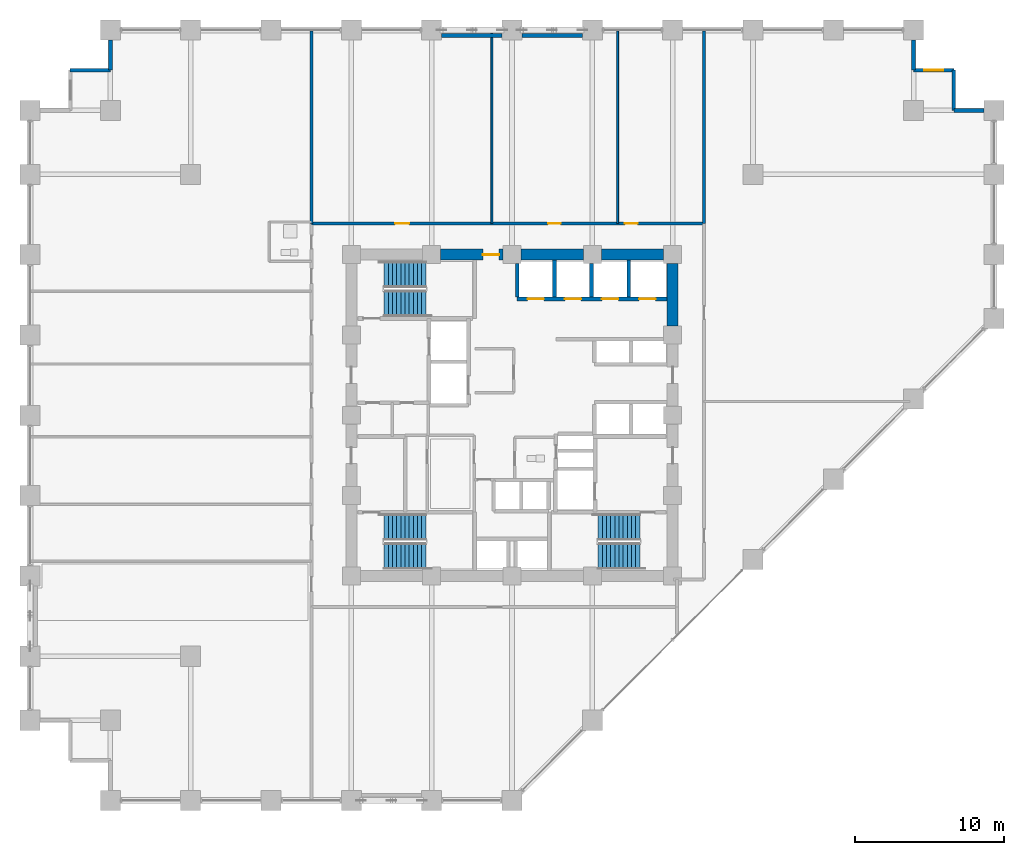
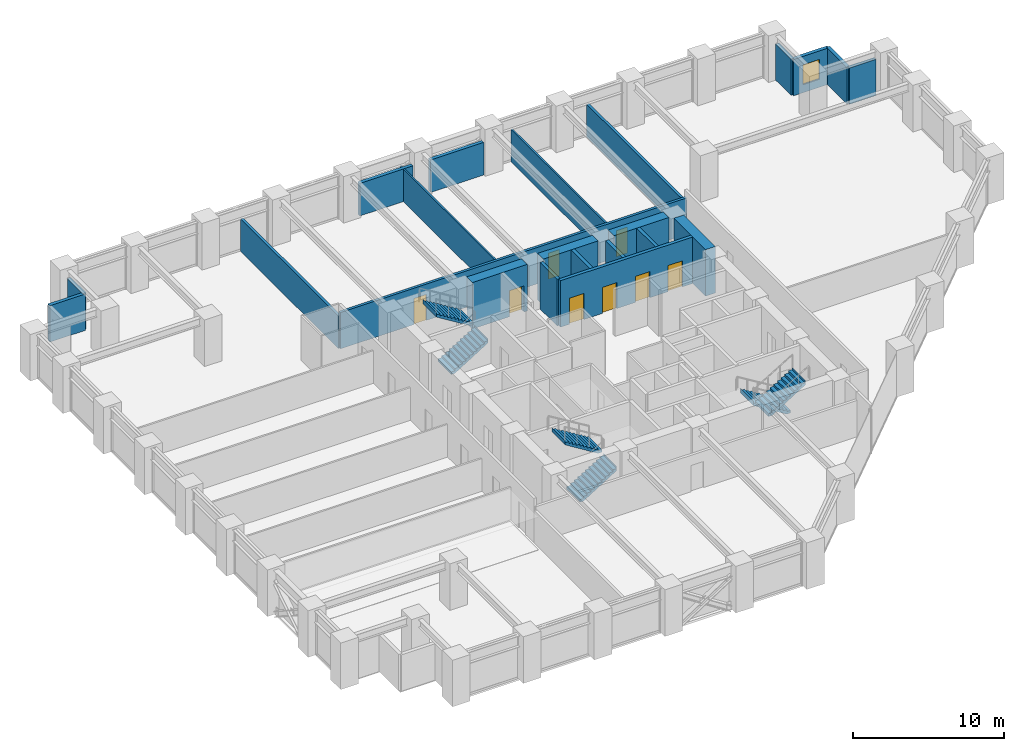
# One storey, part 22 of 25: 22 walls, 8 doors, 6 stair flights, 1 window, 9 openings, 3 elements without a shape of their own.
"""IFC4 building model written with IfcOpenShell, lengths in metres."""

from ifc_helpers import new_model, si_unit, direction, frame, frame_2d, origin, place, context, subcontext, project, spatial, polyline, rectangle, outline, extrude, material, layer, layer_set, type_object, element, fill, aggregate, save


model = new_model("IFC4")

# Units and contexts
model_context = context("Model", 3, precision=1e-05, world=origin(), true_north=direction((0.0, 1.0)))
body_context = subcontext(model_context, "Body", "Model", "MODEL_VIEW")
ifc_project = project(units=[si_unit("LENGTHUNIT", "METRE"), si_unit("AREAUNIT", "SQUARE_METRE"), si_unit("VOLUMEUNIT", "CUBIC_METRE"), si_unit("PLANEANGLEUNIT", "RADIAN"), si_unit("MASSUNIT", "GRAM", prefix="KILO")], contexts=[model_context])

# Site, building, storey
site_placement = place(None, origin())
site = spatial("IfcSite", under=ifc_project, at=site_placement, CompositionType="ELEMENT")
building_placement = place(site_placement, origin())
building = spatial("IfcBuilding", under=site, at=building_placement, Name="Surkhivell Harbour Commons", CompositionType="ELEMENT")
storey_placement = place(building_placement, frame((0.0, 0.0, 33.75)))
storey = spatial("IfcBuildingStorey", under=building, at=storey_placement, Name="L08", CompositionType="ELEMENT", Elevation=33.75)

# Wall, opening, door
ifc_material_1 = material(Name="Concrete C60/75", Category="concrete")
ifc_layer_1 = layer(ifc_material_1, 0.75)
ifc_layer_set_1 = layer_set([ifc_layer_1], Name="Concrete C60/75")
wall_type_1 = type_object("IfcWallType", Name="WAL-CORE-750", PredefinedType="SHEAR", material=ifc_layer_set_1)
wall_1_placement = place(storey_placement, frame((-4.7900390625, 10.800048828125, 0.0), z_axis=(0.0, 0.0, 1.0), x_axis=(1.0, 0.0, 0.0)))
wall_1 = element("IfcWall", 1, at=wall_1_placement, inside=storey, type_object=wall_type_1, Name="L08 Core Shear Wall North 2", PredefinedType="SHEAR", context=body_context, shape_type="SweptSolid", body=[
    extrude(rectangle(XDim=4.179931640625, YDim=0.75, at=frame_2d((2.08984375, 0.0))), origin(), (0.0, 0.0, 1.0), 3.75),
])
opening_1_placement = place(wall_1_placement, frame((2.830078125, 0.0, 0.0)))
opening_1 = element("IfcOpeningElement", 2, at=opening_1_placement, cuts=wall_1, Name="Opening ID-2", PredefinedType="OPENING", context=body_context, shape_type="SweptSolid", body=[
    extrude(rectangle(XDim=1.10009765625, YDim=2.10009765625, at=frame_2d((0.550048828125, 1.050048828125))), frame((0.0, 0.385009765625, 0.0), z_axis=(0.0, -1.0, 0.0), x_axis=(1.0, 0.0, 0.0)), (0.0, 0.0, 1.0), 0.77001953125),
])
ifc_material_2 = material(Name="Hardwood-veneered fire-rated door leaf", Category="wood")
door_type_1 = type_object("IfcDoorType", Name="DOR-FD60-1100", OperationType="NOTDEFINED", PredefinedType="DOOR", material=ifc_material_2)
door_1_placement = place(opening_1_placement, origin())
door_1 = element("IfcDoor", 3, at=door_1_placement, inside=storey, type_object=door_type_1, Name="L08 Central Core Lift Hall North Corridor Door", OperationType="SINGLE_SWING_LEFT", OverallHeight=2.10009765625, OverallWidth=1.10009765625, PredefinedType="DOOR", context=body_context, shape_type="SweptSolid", body=[
    extrude(rectangle(XDim=1.10009765625, YDim=2.10009765625, at=frame_2d((0.550048828125, 1.050048828125))), frame((0.0, 0.02490234375, 0.0), z_axis=(0.0, -1.0, 0.0), x_axis=(1.0, 0.0, 0.0)), (0.0, 0.0, 1.0), 0.050048828125),
])
fill(opening_1, door_1)

# Walls
for number, where, z_axis, x_axis, name in (
    (4, (0.610107421875, 10.800048828125, 0.0), (0.0, 0.0, 1.0), (1.0, 0.0, 0.0), "L08 Core Shear Wall North 3"),
    (5, (6.010009765625, 10.800048828125, 0.0), (0.0, 0.0, 1.0), (1.0, 0.0, 0.0), "L08 Core Shear Wall North 4"),
    (6, (10.800048828125, 6.010009765625, 0.0), (0.0, 0.0, 1.0), (0.0, 1.0, 0.0), "L08 Core Shear Wall East 4"),
):
    element("IfcWall", number, at=place(storey_placement, frame(where, z_axis=z_axis, x_axis=x_axis)), inside=storey, type_object=wall_type_1, Name=name, PredefinedType="SHEAR", context=body_context, shape_type="SweptSolid", body=[
        extrude(rectangle(XDim=4.179931640625, YDim=0.75, at=frame_2d((2.08984375, 0.0))), origin(), (0.0, 0.0, 1.0), 3.75),
    ])
ifc_material_3 = material(Name="Pale-metal insulated precast concrete C45/55", Category="concrete")
ifc_layer_2 = layer(ifc_material_3, 0.260009765625)
ifc_layer_set_2 = layer_set([ifc_layer_2], Name="Pale-metal insulated precast concrete C45/55")
wall_type_2 = type_object("IfcWallType", Name="WAL-EXT-MTL260", PredefinedType="STANDARD", material=ifc_layer_set_2)
wall_2_placement = place(storey_placement, frame((31.72705078125, 20.5, 0.0), z_axis=(0.0, 0.0, 1.0), x_axis=(-1.0, 0.0, 0.0)))
element("IfcWall", 7, at=wall_2_placement, inside=storey, type_object=wall_type_2, Name="L08 Serrated Corner Facade Wall 03", PredefinedType="STANDARD", context=body_context, shape_type="SweptSolid", body=[
    extrude(rectangle(XDim=2.027099609375, YDim=0.260009765625, at=frame_2d((1.013671875, 0.0))), origin(), (0.0, 0.0, 1.0), 2.929931640625),
])
wall_3_placement = place(storey_placement, frame((29.699951171875, 20.5, 0.0), z_axis=(0.0, 0.0, 1.0), x_axis=(0.0, 1.0, 0.0)))
element("IfcWall", 8, at=wall_3_placement, inside=storey, type_object=wall_type_2, Name="L08 Serrated Corner Facade Wall 04", PredefinedType="STANDARD", context=body_context, shape_type="SweptSolid", body=[
    extrude(rectangle(XDim=2.699951171875, YDim=0.260009765625, at=frame_2d((1.35009765625, 0.0))), origin(), (0.0, 0.0, 1.0), 2.929931640625),
])

# Wall, opening, window
wall_4_placement = place(storey_placement, frame((29.699951171875, 23.199951171875, 0.0), z_axis=(0.0, 0.0, 1.0), x_axis=(-1.0, 0.0, 0.0)))
wall_4 = element("IfcWall", 9, at=wall_4_placement, inside=storey, type_object=wall_type_2, Name="L08 Serrated Corner Facade Wall 05", PredefinedType="STANDARD", context=body_context, shape_type="SweptSolid", body=[
    extrude(rectangle(XDim=2.699951171875, YDim=0.260009765625, at=frame_2d((1.35009765625, 0.0))), origin(), (0.0, 0.0, 1.0), 2.929931640625),
])
opening_2_placement = place(wall_4_placement, frame((0.72509765625, 0.0, 0.64990234375)))
opening_2 = element("IfcOpeningElement", 10, at=opening_2_placement, cuts=wall_4, Name="Opening WN-09", PredefinedType="OPENING", context=body_context, shape_type="SweptSolid", body=[
    extrude(rectangle(XDim=1.25, YDim=1.60009765625, at=frame_2d((0.625, 0.800048828125))), frame((0.0, 0.139892578125, 0.0), z_axis=(0.0, -1.0, 0.0), x_axis=(1.0, 0.0, 0.0)), (0.0, 0.0, 1.0), 0.280029296875),
])
ifc_material_4 = material(Name="Thermal-break aluminium frame and double low-E glazing", Category="aluminium")
window_type = type_object("IfcWindowType", Name="WIN-SER-1250x1600", PartitioningType="SINGLE_PANEL", PredefinedType="WINDOW", material=ifc_material_4)
window_placement = place(opening_2_placement, origin())
window = element("IfcWindow", 11, at=window_placement, inside=storey, type_object=window_type, Name="L08 Serrated Alcove Window 05", OverallHeight=1.60009765625, OverallWidth=1.25, PartitioningType="SINGLE_PANEL", PredefinedType="WINDOW", context=body_context, shape_type="SweptSolid", body=[
    extrude(rectangle(XDim=1.25, YDim=1.60009765625, at=frame_2d((0.625, 0.800048828125))), frame((0.0, 0.030029296875, 0.0), z_axis=(0.0, -1.0, 0.0), x_axis=(1.0, 0.0, 0.0)), (0.0, 0.0, 1.0), 0.06005859375),
])
fill(opening_2, window)

# Walls
wall_5_placement = place(storey_placement, frame((27.0, 23.199951171875, 0.0), z_axis=(0.0, 0.0, 1.0), x_axis=(0.0, 1.0, 0.0)))
element("IfcWall", 12, at=wall_5_placement, inside=storey, type_object=wall_type_2, Name="L08 Serrated Corner Facade Wall 06", PredefinedType="STANDARD", context=body_context, shape_type="SweptSolid", body=[
    extrude(rectangle(XDim=2.027099609375, YDim=0.260009765625, at=frame_2d((1.013671875, 0.0))), origin(), (0.0, 0.0, 1.0), 2.929931640625),
])
for number, where, z_axis, x_axis, name in (
    (13, (-0.673095703125, 25.5400390625, 0.0), (0.0, 0.0, 1.0), (-1.0, 0.0, 0.0), "L08 Braced-Bay Insulated Spandrel Backing N"),
    (14, (4.72705078125, 25.5400390625, 0.0), (0.0, 0.0, 1.0), (-1.0, 0.0, 0.0), "L08 Braced-Bay Insulated Spandrel Backing N2"),
):
    element("IfcWall", number, at=place(storey_placement, frame(where, z_axis=z_axis, x_axis=x_axis)), inside=storey, type_object=wall_type_2, Name=name, PredefinedType="STANDARD", context=body_context, shape_type="SweptSolid", body=[
        extrude(rectangle(XDim=4.053955078125, YDim=0.260009765625, at=frame_2d((2.02685546875, 0.0))), origin(), (0.0, 0.0, 1.0), 2.62890625),
    ])
wall_6_placement = place(storey_placement, frame((-27.0, 25.22705078125, 0.0), z_axis=(0.0, 0.0, 1.0), x_axis=(0.0, -1.0, 0.0)))
element("IfcWall", 15, at=wall_6_placement, inside=storey, type_object=wall_type_2, Name="L08 Serrated Corner Facade Wall 08", PredefinedType="STANDARD", context=body_context, shape_type="SweptSolid", body=[
    extrude(rectangle(XDim=2.027099609375, YDim=0.260009765625, at=frame_2d((1.013671875, 0.0))), origin(), (0.0, 0.0, 1.0), 2.929931640625),
])
wall_7_placement = place(storey_placement, frame((-27.0, 23.199951171875, 0.0), z_axis=(0.0, 0.0, 1.0), x_axis=(-1.0, 0.0, 0.0)))
element("IfcWall", 16, at=wall_7_placement, inside=storey, type_object=wall_type_2, Name="L08 Serrated Corner Facade Wall 09", PredefinedType="STANDARD", context=body_context, shape_type="SweptSolid", body=[
    extrude(rectangle(XDim=2.699951171875, YDim=0.260009765625, at=frame_2d((1.35009765625, 0.0))), origin(), (0.0, 0.0, 1.0), 2.929931640625),
])
ifc_material_5 = material(Name="Moisture-resistant acoustic stud partition", Category="other")
ifc_layer_3 = layer(ifc_material_5, 0.125)
ifc_layer_set_3 = layer_set([ifc_layer_3], Name="Moisture-resistant acoustic stud partition")
wall_type_3 = type_object("IfcWallType", Name="WAL-INT-125", PredefinedType="PARTITIONING", material=ifc_layer_set_3)
for number, where, z_axis, x_axis, name in (
    (17, (-1.35009765625, 12.89990234375, 0.0), (0.0, 0.0, 1.0), (0.0, 1.0, 0.0), "L08 North Partition P1"),
    (18, (7.10009765625, 12.89990234375, 0.0), (0.0, 0.0, 1.0), (0.0, 1.0, 0.0), "L08 North Partition P2"),
):
    element("IfcWall", number, at=place(storey_placement, frame(where, z_axis=z_axis, x_axis=x_axis)), inside=storey, type_object=wall_type_3, Name=name, PredefinedType="PARTITIONING", context=body_context, shape_type="SweptSolid", body=[
        extrude(rectangle(XDim=12.940185546875, YDim=0.125, at=frame_2d((6.47021484375, 0.0))), origin(), (0.0, 0.0, 1.0), 2.62890625),
    ])
ifc_material_6 = material(Name="Autoclaved aerated concrete blockwork and fire plaster", Category="masonry")
ifc_layer_4 = layer(ifc_material_6, 0.199951171875)
ifc_layer_set_4 = layer_set([ifc_layer_4], Name="Autoclaved aerated concrete blockwork and fire plaster")
wall_type_4 = type_object("IfcWallType", Name="WAL-INT-200", PredefinedType="PARTITIONING", material=ifc_layer_set_4)
for number, where, z_axis, x_axis, name in (
    (19, (12.89990234375, 12.89990234375, 0.0), (0.0, 0.0, 1.0), (0.0, 1.0, 0.0), "L08 North-East Wing Corner Divider"),
    (20, (-13.47998046875, 12.89990234375, 0.0), (0.0, 0.0, 1.0), (0.0, 1.0, 0.0), "L08 North-West Wing Corner Divider"),
):
    element("IfcWall", number, at=place(storey_placement, frame(where, z_axis=z_axis, x_axis=x_axis)), inside=storey, type_object=wall_type_4, Name=name, PredefinedType="PARTITIONING", context=body_context, shape_type="SweptSolid", body=[
        extrude(rectangle(XDim=12.940185546875, YDim=0.199951171875, at=frame_2d((6.47021484375, 0.0))), origin(), (0.0, 0.0, 1.0), 2.62890625),
    ])

# Wall, openings, doors
wall_8_placement = place(storey_placement, frame((-13.47998046875, 12.89990234375, 0.0), z_axis=(0.0, 0.0, 1.0), x_axis=(1.0, 0.0, 0.0)))
wall_8 = element("IfcWall", 21, at=wall_8_placement, inside=storey, type_object=wall_type_4, Name="L08 Corridor North Wall", PredefinedType="PARTITIONING", context=body_context, shape_type="SweptSolid", body=[
    extrude(rectangle(XDim=26.3798828125, YDim=0.199951171875, at=frame_2d((13.18994140625, 0.0))), origin(), (0.0, 0.0, 1.0), 2.929931640625),
])
opening_3_placement = place(wall_8_placement, frame((5.614990234375, 0.0, 0.0)))
opening_3 = element("IfcOpeningElement", 22, at=opening_3_placement, cuts=wall_8, Name="Opening ID-4", PredefinedType="OPENING", context=body_context, shape_type="SweptSolid", body=[
    extrude(rectangle(XDim=0.949951171875, YDim=2.10009765625, at=frame_2d((0.47509765625, 1.050048828125))), frame((0.0, 0.10986328125, 0.0), z_axis=(0.0, -1.0, 0.0), x_axis=(1.0, 0.0, 0.0)), (0.0, 0.0, 1.0), 0.219970703125),
])
opening_4_placement = place(wall_8_placement, frame((15.905029296875, 0.0, 0.0)))
opening_4 = element("IfcOpeningElement", 23, at=opening_4_placement, cuts=wall_8, Name="Opening ID-6", PredefinedType="OPENING", context=body_context, shape_type="SweptSolid", body=[
    extrude(rectangle(XDim=0.85009765625, YDim=2.10009765625, at=frame_2d((0.425048828125, 1.050048828125))), frame((0.0, 0.10986328125, 0.0), z_axis=(0.0, -1.0, 0.0), x_axis=(1.0, 0.0, 0.0)), (0.0, 0.0, 1.0), 0.219970703125),
])
opening_5_placement = place(wall_8_placement, frame((21.069091796875, 0.0, 0.0)))
opening_5 = element("IfcOpeningElement", 24, at=opening_5_placement, cuts=wall_8, Name="Opening ID-6", PredefinedType="OPENING", context=body_context, shape_type="SweptSolid", body=[
    extrude(rectangle(XDim=0.85009765625, YDim=2.10009765625, at=frame_2d((0.425048828125, 1.050048828125))), frame((0.0, 0.10986328125, 0.0), z_axis=(0.0, -1.0, 0.0), x_axis=(1.0, 0.0, 0.0)), (0.0, 0.0, 1.0), 0.219970703125),
])
door_type_2 = type_object("IfcDoorType", Name="DOR-FD30-850", OperationType="NOTDEFINED", PredefinedType="DOOR", material=ifc_material_2)
door_2_placement = place(opening_4_placement, origin())
door_2 = element("IfcDoor", 25, at=door_2_placement, inside=storey, type_object=door_type_2, Name="L08 Harbour Social Lounge North Door", OperationType="SINGLE_SWING_LEFT", OverallHeight=2.10009765625, OverallWidth=0.85009765625, PredefinedType="DOOR", context=body_context, shape_type="SweptSolid", body=[
    extrude(rectangle(XDim=0.85009765625, YDim=2.10009765625, at=frame_2d((0.425048828125, 1.050048828125))), frame((0.0, 0.02490234375, 0.0), z_axis=(0.0, -1.0, 0.0), x_axis=(1.0, 0.0, 0.0)), (0.0, 0.0, 1.0), 0.050048828125),
])
fill(opening_4, door_2)
door_3_placement = place(opening_5_placement, origin())
door_3 = element("IfcDoor", 26, at=door_3_placement, inside=storey, type_object=door_type_2, Name="L08 Resident Social Lounge 3 North Door", OperationType="SINGLE_SWING_RIGHT", OverallHeight=2.10009765625, OverallWidth=0.85009765625, PredefinedType="DOOR", context=body_context, shape_type="SweptSolid", body=[
    extrude(rectangle(XDim=0.85009765625, YDim=2.10009765625, at=frame_2d((0.425048828125, 1.050048828125))), frame((0.0, 0.02490234375, 0.0), z_axis=(0.0, -1.0, 0.0), x_axis=(1.0, 0.0, 0.0)), (0.0, 0.0, 1.0), 0.050048828125),
])
fill(opening_5, door_3)
door_type_3 = type_object("IfcDoorType", Name="DOR-FD60-950", OperationType="NOTDEFINED", PredefinedType="DOOR", material=ifc_material_2)
door_4_placement = place(opening_3_placement, origin())
door_4 = element("IfcDoor", 27, at=door_4_placement, inside=storey, type_object=door_type_3, Name="L08 Harbour Social Lounge North Door", OperationType="SINGLE_SWING_RIGHT", OverallHeight=2.10009765625, OverallWidth=0.949951171875, PredefinedType="DOOR", context=body_context, shape_type="SweptSolid", body=[
    extrude(rectangle(XDim=0.949951171875, YDim=2.10009765625, at=frame_2d((0.47509765625, 1.050048828125))), frame((0.0, 0.02490234375, 0.0), z_axis=(0.0, -1.0, 0.0), x_axis=(1.0, 0.0, 0.0)), (0.0, 0.0, 1.0), 0.050048828125),
])
fill(opening_3, door_4)

# Walls
ifc_material_7 = material(Name="Concrete C50/60", Category="concrete")
ifc_layer_5 = layer(ifc_material_7, 0.25)
ifc_layer_set_5 = layer_set([ifc_layer_5], Name="Concrete C50/60")
wall_type_5 = type_object("IfcWallType", Name="WAL-SHAFT-250", PredefinedType="SHEAR", material=ifc_layer_set_5)
wall_9_placement = place(storey_placement, frame((2.85009765625, 7.93994140625, 0.0), z_axis=(0.0, 0.0, 1.0), x_axis=(0.0, 1.0, 0.0)))
element("IfcWall", 28, at=wall_9_placement, inside=storey, type_object=wall_type_5, Name="L08 Low-Rise Hoistway Wall", PredefinedType="SHEAR", context=body_context, shape_type="SweptSolid", body=[
    extrude(rectangle(XDim=2.485107421875, YDim=0.25, at=frame_2d((1.24267578125, 0.0))), origin(), (0.0, 0.0, 1.0), 3.75),
])
for number, where, z_axis, x_axis, name in (
    (29, (0.35009765625, 7.93994140625, 0.0), (0.0, 0.0, 1.0), (0.0, 1.0, 0.0), "L08 Low-Rise Hoistway Wall"),
    (30, (5.35009765625, 7.93994140625, 0.0), (0.0, 0.0, 1.0), (0.0, 1.0, 0.0), "L08 Low-Rise Hoistway Wall"),
):
    element("IfcWall", number, at=place(storey_placement, frame(where, z_axis=z_axis, x_axis=x_axis)), inside=storey, type_object=wall_type_5, Name=name, PredefinedType="SHEAR", context=body_context, shape_type="SweptSolid", body=[
        extrude(rectangle(XDim=2.260009765625, YDim=0.25, at=frame_2d((1.1298828125, 0.0))), origin(), (0.0, 0.0, 1.0), 3.75),
    ])
wall_10_placement = place(storey_placement, frame((7.85009765625, 7.93994140625, 0.0), z_axis=(0.0, 0.0, 1.0), x_axis=(0.0, 1.0, 0.0)))
element("IfcWall", 31, at=wall_10_placement, inside=storey, type_object=wall_type_5, Name="L08 Low-Rise Hoistway Wall", PredefinedType="SHEAR", context=body_context, shape_type="SweptSolid", body=[
    extrude(rectangle(XDim=2.485107421875, YDim=0.25, at=frame_2d((1.24267578125, 0.0))), origin(), (0.0, 0.0, 1.0), 3.75),
])

# Wall, openings, doors
wall_11_placement = place(storey_placement, frame((0.35009765625, 7.820068359375, 0.0), z_axis=(0.0, 0.0, 1.0), x_axis=(1.0, 0.0, 0.0)))
wall_11 = element("IfcWall", 32, at=wall_11_placement, inside=storey, type_object=wall_type_5, Name="L08 Low-Rise Lift Front Shaft Wall", PredefinedType="SHEAR", context=body_context, shape_type="SweptSolid", body=[
    extrude(rectangle(XDim=10.074951171875, YDim=0.25, at=frame_2d((5.03759765625, 0.0))), origin(), (0.0, 0.0, 1.0), 3.75),
])
opening_6_placement = place(wall_11_placement, frame((0.699951171875, 0.0, 0.0)))
opening_6 = element("IfcOpeningElement", 33, at=opening_6_placement, cuts=wall_11, Name="Opening LD-1", PredefinedType="OPENING", context=body_context, shape_type="SweptSolid", body=[
    extrude(rectangle(XDim=1.10009765625, YDim=2.10009765625, at=frame_2d((0.550048828125, 1.050048828125))), frame((0.0, 0.135009765625, 0.0), z_axis=(0.0, -1.0, 0.0), x_axis=(1.0, 0.0, 0.0)), (0.0, 0.0, 1.0), 0.27001953125),
])
opening_7_placement = place(wall_11_placement, frame((3.199951171875, 0.0, 0.0)))
opening_7 = element("IfcOpeningElement", 34, at=opening_7_placement, cuts=wall_11, Name="Opening LD-1", PredefinedType="OPENING", context=body_context, shape_type="SweptSolid", body=[
    extrude(rectangle(XDim=1.10009765625, YDim=2.10009765625, at=frame_2d((0.550048828125, 1.050048828125))), frame((0.0, 0.135009765625, 0.0), z_axis=(0.0, -1.0, 0.0), x_axis=(1.0, 0.0, 0.0)), (0.0, 0.0, 1.0), 0.27001953125),
])
opening_8_placement = place(wall_11_placement, frame((5.699951171875, 0.0, 0.0)))
opening_8 = element("IfcOpeningElement", 35, at=opening_8_placement, cuts=wall_11, Name="Opening LD-1", PredefinedType="OPENING", context=body_context, shape_type="SweptSolid", body=[
    extrude(rectangle(XDim=1.10009765625, YDim=2.10009765625, at=frame_2d((0.550048828125, 1.050048828125))), frame((0.0, 0.135009765625, 0.0), z_axis=(0.0, -1.0, 0.0), x_axis=(1.0, 0.0, 0.0)), (0.0, 0.0, 1.0), 0.27001953125),
])
opening_9_placement = place(wall_11_placement, frame((8.199951171875, 0.0, 0.0)))
opening_9 = element("IfcOpeningElement", 36, at=opening_9_placement, cuts=wall_11, Name="Opening LD-1", PredefinedType="OPENING", context=body_context, shape_type="SweptSolid", body=[
    extrude(rectangle(XDim=1.10009765625, YDim=2.10009765625, at=frame_2d((0.550048828125, 1.050048828125))), frame((0.0, 0.135009765625, 0.0), z_axis=(0.0, -1.0, 0.0), x_axis=(1.0, 0.0, 0.0)), (0.0, 0.0, 1.0), 0.27001953125),
])
ifc_material_8 = material(Name="Brushed stainless steel S355", Category="steel")
door_type_4 = type_object("IfcDoorType", Name="DOR-LD-1100", OperationType="SLIDING_TO_LEFT", PredefinedType="DOOR", material=ifc_material_8)
door_5_placement = place(opening_6_placement, origin())
door_5 = element("IfcDoor", 37, at=door_5_placement, inside=storey, type_object=door_type_4, Name="L08 Lift Landing Door LD-PL1", OperationType="SLIDING_TO_LEFT", OverallHeight=2.10009765625, OverallWidth=1.10009765625, PredefinedType="DOOR", context=body_context, shape_type="SweptSolid", body=[
    extrude(rectangle(XDim=1.10009765625, YDim=2.10009765625, at=frame_2d((0.550048828125, 1.050048828125))), frame((0.0, 0.02490234375, 0.0), z_axis=(0.0, -1.0, 0.0), x_axis=(1.0, 0.0, 0.0)), (0.0, 0.0, 1.0), 0.050048828125),
])
fill(opening_6, door_5)
door_6_placement = place(opening_7_placement, origin())
door_6 = element("IfcDoor", 38, at=door_6_placement, inside=storey, type_object=door_type_4, Name="L08 Lift Landing Door LD-PL2", OperationType="SLIDING_TO_LEFT", OverallHeight=2.10009765625, OverallWidth=1.10009765625, PredefinedType="DOOR", context=body_context, shape_type="SweptSolid", body=[
    extrude(rectangle(XDim=1.10009765625, YDim=2.10009765625, at=frame_2d((0.550048828125, 1.050048828125))), frame((0.0, 0.02490234375, 0.0), z_axis=(0.0, -1.0, 0.0), x_axis=(1.0, 0.0, 0.0)), (0.0, 0.0, 1.0), 0.050048828125),
])
fill(opening_7, door_6)
door_7_placement = place(opening_8_placement, origin())
door_7 = element("IfcDoor", 39, at=door_7_placement, inside=storey, type_object=door_type_4, Name="L08 Lift Landing Door LD-PL3", OperationType="SLIDING_TO_LEFT", OverallHeight=2.10009765625, OverallWidth=1.10009765625, PredefinedType="DOOR", context=body_context, shape_type="SweptSolid", body=[
    extrude(rectangle(XDim=1.10009765625, YDim=2.10009765625, at=frame_2d((0.550048828125, 1.050048828125))), frame((0.0, 0.02490234375, 0.0), z_axis=(0.0, -1.0, 0.0), x_axis=(1.0, 0.0, 0.0)), (0.0, 0.0, 1.0), 0.050048828125),
])
fill(opening_8, door_7)
door_8_placement = place(opening_9_placement, origin())
door_8 = element("IfcDoor", 40, at=door_8_placement, inside=storey, type_object=door_type_4, Name="L08 Lift Landing Door LD-PL4", OperationType="SLIDING_TO_LEFT", OverallHeight=2.10009765625, OverallWidth=1.10009765625, PredefinedType="DOOR", context=body_context, shape_type="SweptSolid", body=[
    extrude(rectangle(XDim=1.10009765625, YDim=2.10009765625, at=frame_2d((0.550048828125, 1.050048828125))), frame((0.0, 0.02490234375, 0.0), z_axis=(0.0, -1.0, 0.0), x_axis=(1.0, 0.0, 0.0)), (0.0, 0.0, 1.0), 0.050048828125),
])
fill(opening_9, door_8)

# Stair, stair flights
ifc_material_9 = material(Name="Precast concrete C45/55", Category="concrete")
stair_type = type_object("IfcStairType", Name="STR-DL-375", PredefinedType="HALF_TURN_STAIR", material=ifc_material_9)
stair_1_placement = place(storey_placement, origin())
stair_1 = element("IfcStair", 41, at=stair_1_placement, inside=storey, type_object=stair_type, Name="L08 Core Exit Stair ST1", PredefinedType="HALF_TURN_STAIR")
stair_flight_type = type_object("IfcStairFlightType", Name="STF-DL-375", PredefinedType="STRAIGHT", material=ifc_material_9)
stair_flight_1_placement = place(storey_placement, frame((-8.590087890625, 7.514892578125, 0.0), z_axis=(0.0, 0.0, 1.0), x_axis=(1.0, 0.0, 0.0)))
stair_flight_1 = element("IfcStairFlight", 42, at=stair_flight_1_placement, type_object=stair_flight_type, Name="ST1 flight 1", NumberOfRisers=11, NumberOfTreads=10, PredefinedType="STRAIGHT", RiserHeight=0.170454545, TreadLength=0.28, context=body_context, shape_type="SweptSolid", body=[
    extrude(outline(polyline([(-0.0029296875, -0.034912109375), (-0.0029296875, 0.0), (0.0, 0.0), (0.0, 0.17041015625), (0.280029296875, 0.17041015625), (0.280029296875, 0.3408203125), (0.56005859375, 0.3408203125), (0.56005859375, 0.511474609375), (0.840087890625, 0.511474609375), (0.840087890625, 0.681884765625), (1.1201171875, 0.681884765625), (1.1201171875, 0.852294921875), (1.39990234375, 0.852294921875), (1.39990234375, 1.022705078125), (1.679931640625, 1.022705078125), (1.679931640625, 1.193115234375), (1.9599609375, 1.193115234375), (1.9599609375, 1.363525390625), (2.239990234375, 1.363525390625), (2.239990234375, 1.5341796875), (2.52001953125, 1.5341796875), (2.52001953125, 1.70458984375), (2.800048828125, 1.70458984375), (2.800048828125, 1.875), (2.802978515625, 1.875), (2.802978515625, 1.529052734375), (0.288330078125, -0.034912109375), (-0.0029296875, -0.034912109375)])), frame((0.0, 0.875, 0.0), z_axis=(0.0, -1.0, 0.0), x_axis=(1.0, 0.0, 0.0)), (0.0, 0.0, 1.0), 1.75),
])
stair_flight_2_placement = place(storey_placement, frame((-5.7900390625, 9.465087890625, 1.875), z_axis=(0.0, 0.0, 1.0), x_axis=(-1.0, 0.0, 0.0)))
stair_flight_2 = element("IfcStairFlight", 43, at=stair_flight_2_placement, type_object=stair_flight_type, Name="ST1 flight 2", NumberOfRisers=11, NumberOfTreads=10, PredefinedType="STRAIGHT", RiserHeight=0.170454545, TreadLength=0.28, context=body_context, shape_type="SweptSolid", body=[
    extrude(outline(polyline([(-0.0029296875, -0.034912109375), (-0.0029296875, 0.0), (0.0, 0.0), (0.0, 0.17041015625), (0.280029296875, 0.17041015625), (0.280029296875, 0.3408203125), (0.56005859375, 0.3408203125), (0.56005859375, 0.511474609375), (0.840087890625, 0.511474609375), (0.840087890625, 0.681884765625), (1.1201171875, 0.681884765625), (1.1201171875, 0.852294921875), (1.39990234375, 0.852294921875), (1.39990234375, 1.022705078125), (1.679931640625, 1.022705078125), (1.679931640625, 1.193115234375), (1.9599609375, 1.193115234375), (1.9599609375, 1.363525390625), (2.239990234375, 1.363525390625), (2.239990234375, 1.5341796875), (2.52001953125, 1.5341796875), (2.52001953125, 1.70458984375), (2.800048828125, 1.70458984375), (2.800048828125, 1.875), (2.802978515625, 1.875), (2.802978515625, 1.529052734375), (0.288330078125, -0.034912109375), (-0.0029296875, -0.034912109375)])), frame((0.0, 0.875, 0.0), z_axis=(0.0, -1.0, 0.0), x_axis=(1.0, 0.0, 0.0)), (0.0, 0.0, 1.0), 1.75),
])
aggregate(stair_1, [stair_flight_1, stair_flight_2])

stair_2_placement = place(storey_placement, origin())
stair_2 = element("IfcStair", 44, at=stair_2_placement, inside=storey, type_object=stair_type, Name="L08 Core Exit Stair ST2", PredefinedType="HALF_TURN_STAIR")
stair_flight_3_placement = place(storey_placement, frame((8.590087890625, -7.514892578125, 0.0), z_axis=(0.0, 0.0, 1.0), x_axis=(-1.0, 0.0, 0.0)))
stair_flight_3 = element("IfcStairFlight", 45, at=stair_flight_3_placement, type_object=stair_flight_type, Name="ST2 flight 1", NumberOfRisers=11, NumberOfTreads=10, PredefinedType="STRAIGHT", RiserHeight=0.170454545, TreadLength=0.28, context=body_context, shape_type="SweptSolid", body=[
    extrude(outline(polyline([(-0.0029296875, -0.034912109375), (-0.0029296875, 0.0), (0.0, 0.0), (0.0, 0.17041015625), (0.280029296875, 0.17041015625), (0.280029296875, 0.3408203125), (0.56005859375, 0.3408203125), (0.56005859375, 0.511474609375), (0.840087890625, 0.511474609375), (0.840087890625, 0.681884765625), (1.1201171875, 0.681884765625), (1.1201171875, 0.852294921875), (1.39990234375, 0.852294921875), (1.39990234375, 1.022705078125), (1.679931640625, 1.022705078125), (1.679931640625, 1.193115234375), (1.9599609375, 1.193115234375), (1.9599609375, 1.363525390625), (2.239990234375, 1.363525390625), (2.239990234375, 1.5341796875), (2.52001953125, 1.5341796875), (2.52001953125, 1.70458984375), (2.800048828125, 1.70458984375), (2.800048828125, 1.875), (2.802978515625, 1.875), (2.802978515625, 1.529052734375), (0.288330078125, -0.034912109375), (-0.0029296875, -0.034912109375)])), frame((0.0, 0.875, 0.0), z_axis=(0.0, -1.0, 0.0), x_axis=(1.0, 0.0, 0.0)), (0.0, 0.0, 1.0), 1.75),
])
stair_flight_4_placement = place(storey_placement, frame((5.7900390625, -9.465087890625, 1.875), z_axis=(0.0, 0.0, 1.0), x_axis=(1.0, 0.0, 0.0)))
stair_flight_4 = element("IfcStairFlight", 46, at=stair_flight_4_placement, type_object=stair_flight_type, Name="ST2 flight 2", NumberOfRisers=11, NumberOfTreads=10, PredefinedType="STRAIGHT", RiserHeight=0.170454545, TreadLength=0.28, context=body_context, shape_type="SweptSolid", body=[
    extrude(outline(polyline([(-0.0029296875, -0.034912109375), (-0.0029296875, 0.0), (0.0, 0.0), (0.0, 0.17041015625), (0.280029296875, 0.17041015625), (0.280029296875, 0.3408203125), (0.56005859375, 0.3408203125), (0.56005859375, 0.511474609375), (0.840087890625, 0.511474609375), (0.840087890625, 0.681884765625), (1.1201171875, 0.681884765625), (1.1201171875, 0.852294921875), (1.39990234375, 0.852294921875), (1.39990234375, 1.022705078125), (1.679931640625, 1.022705078125), (1.679931640625, 1.193115234375), (1.9599609375, 1.193115234375), (1.9599609375, 1.363525390625), (2.239990234375, 1.363525390625), (2.239990234375, 1.5341796875), (2.52001953125, 1.5341796875), (2.52001953125, 1.70458984375), (2.800048828125, 1.70458984375), (2.800048828125, 1.875), (2.802978515625, 1.875), (2.802978515625, 1.529052734375), (0.288330078125, -0.034912109375), (-0.0029296875, -0.034912109375)])), frame((0.0, 0.875, 0.0), z_axis=(0.0, -1.0, 0.0), x_axis=(1.0, 0.0, 0.0)), (0.0, 0.0, 1.0), 1.75),
])
aggregate(stair_2, [stair_flight_3, stair_flight_4])

stair_3_placement = place(storey_placement, origin())
stair_3 = element("IfcStair", 47, at=stair_3_placement, inside=storey, type_object=stair_type, Name="L08 Core Exit Stair ST3", PredefinedType="HALF_TURN_STAIR")
stair_flight_5_placement = place(storey_placement, frame((-8.590087890625, -9.465087890625, 0.0), z_axis=(0.0, 0.0, 1.0), x_axis=(1.0, 0.0, 0.0)))
stair_flight_5 = element("IfcStairFlight", 48, at=stair_flight_5_placement, type_object=stair_flight_type, Name="ST3 flight 1", NumberOfRisers=11, NumberOfTreads=10, PredefinedType="STRAIGHT", RiserHeight=0.170454545, TreadLength=0.28, context=body_context, shape_type="SweptSolid", body=[
    extrude(outline(polyline([(-0.0029296875, -0.034912109375), (-0.0029296875, 0.0), (0.0, 0.0), (0.0, 0.17041015625), (0.280029296875, 0.17041015625), (0.280029296875, 0.3408203125), (0.56005859375, 0.3408203125), (0.56005859375, 0.511474609375), (0.840087890625, 0.511474609375), (0.840087890625, 0.681884765625), (1.1201171875, 0.681884765625), (1.1201171875, 0.852294921875), (1.39990234375, 0.852294921875), (1.39990234375, 1.022705078125), (1.679931640625, 1.022705078125), (1.679931640625, 1.193115234375), (1.9599609375, 1.193115234375), (1.9599609375, 1.363525390625), (2.239990234375, 1.363525390625), (2.239990234375, 1.5341796875), (2.52001953125, 1.5341796875), (2.52001953125, 1.70458984375), (2.800048828125, 1.70458984375), (2.800048828125, 1.875), (2.802978515625, 1.875), (2.802978515625, 1.529052734375), (0.288330078125, -0.034912109375), (-0.0029296875, -0.034912109375)])), frame((0.0, 0.875, 0.0), z_axis=(0.0, -1.0, 0.0), x_axis=(1.0, 0.0, 0.0)), (0.0, 0.0, 1.0), 1.75),
])
stair_flight_6_placement = place(storey_placement, frame((-5.7900390625, -7.514892578125, 1.875), z_axis=(0.0, 0.0, 1.0), x_axis=(-1.0, 0.0, 0.0)))
stair_flight_6 = element("IfcStairFlight", 49, at=stair_flight_6_placement, type_object=stair_flight_type, Name="ST3 flight 2", NumberOfRisers=11, NumberOfTreads=10, PredefinedType="STRAIGHT", RiserHeight=0.170454545, TreadLength=0.28, context=body_context, shape_type="SweptSolid", body=[
    extrude(outline(polyline([(-0.0029296875, -0.034912109375), (-0.0029296875, 0.0), (0.0, 0.0), (0.0, 0.17041015625), (0.280029296875, 0.17041015625), (0.280029296875, 0.3408203125), (0.56005859375, 0.3408203125), (0.56005859375, 0.511474609375), (0.840087890625, 0.511474609375), (0.840087890625, 0.681884765625), (1.1201171875, 0.681884765625), (1.1201171875, 0.852294921875), (1.39990234375, 0.852294921875), (1.39990234375, 1.022705078125), (1.679931640625, 1.022705078125), (1.679931640625, 1.193115234375), (1.9599609375, 1.193115234375), (1.9599609375, 1.363525390625), (2.239990234375, 1.363525390625), (2.239990234375, 1.5341796875), (2.52001953125, 1.5341796875), (2.52001953125, 1.70458984375), (2.800048828125, 1.70458984375), (2.800048828125, 1.875), (2.802978515625, 1.875), (2.802978515625, 1.529052734375), (0.288330078125, -0.034912109375), (-0.0029296875, -0.034912109375)])), frame((0.0, 0.875, 0.0), z_axis=(0.0, -1.0, 0.0), x_axis=(1.0, 0.0, 0.0)), (0.0, 0.0, 1.0), 1.75),
])
aggregate(stair_3, [stair_flight_5, stair_flight_6])

save(model, "model.ifc")
